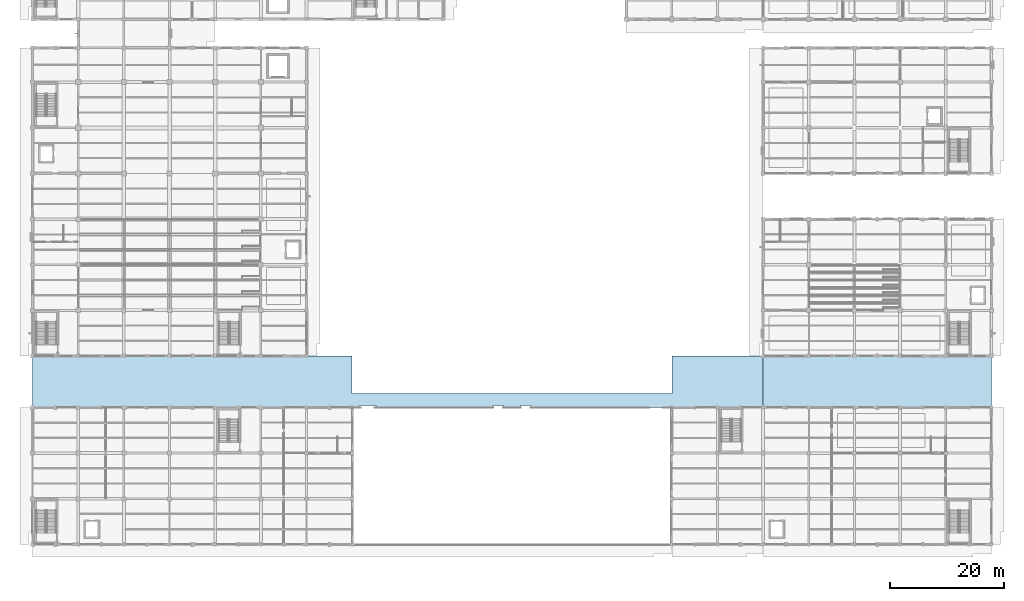
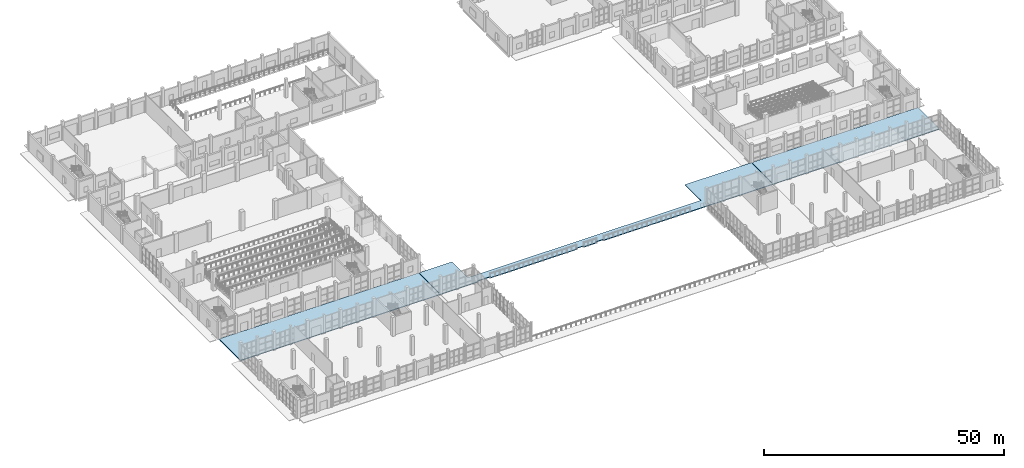
# One storey, part 109 of 156: 1 slab.
"""IFC4 building model written with IfcOpenShell, lengths in metres."""

import ifcopenshell
import ifcopenshell.guid

model = None  # the IFC model being written
_history = None  # IfcOwnerHistory: only IFC2X3 demands one
_inside = {}  # id of a spatial element -> (the spatial element, [elements in it])
_under = {}  # id of a project, library or spatial element -> (it, [spatial elements below it])
_declared = {}  # id of a project -> (the project, [libraries it declares])
_typed = {}  # id of a type object -> (the type object, [elements of that type])
_made_of = {}  # id of a material, layer set ... -> (it, [elements and type objects made of it])


def new_model(schema):
    """Start an empty IFC model of exactly this schema.

    Asked for "IFC4X3", IfcOpenShell would pick the latest addendum, in which some entities
    have other attributes; the version numbers below select the first issue.
    IFC2X3 requires an IfcOwnerHistory on every rooted entity: one is made here for all.
    """
    global model, _history
    if schema == "IFC4X3":
        model = ifcopenshell.file(schema_version=(4, 3, 0, 0))
    else:
        model = ifcopenshell.file(schema=schema)
    _inside.clear()
    _under.clear()
    _declared.clear()
    _typed.clear()
    _made_of.clear()
    _history = None
    if model.schema == "IFC2X3":
        org = make("IfcOrganization", Name="unknown")
        user = make(
            "IfcPersonAndOrganization",
            ThePerson=make("IfcPerson", FamilyName="unknown"),
            TheOrganization=org,
        )
        app = make(
            "IfcApplication",
            ApplicationDeveloper=org,
            Version="unknown",
            ApplicationFullName="unknown",
            ApplicationIdentifier="unknown",
        )
        _history = make(
            "IfcOwnerHistory",
            OwningUser=user,
            OwningApplication=app,
            ChangeAction="ADDED",
            CreationDate=0,
        )
    return model


def make(cls, **values):
    """One entity of the class cls with the attributes given. An attribute that is None is left unset."""
    return model.create_entity(
        cls, **{name: value for name, value in values.items() if value is not None}
    )


def rooted(cls, **values):
    """An entity with a GlobalId (a new one), such as an element, a storey or a relation."""
    return make(cls, GlobalId=ifcopenshell.guid.new(), OwnerHistory=_history, **values)


def si_unit(unit_type, name, prefix=None):
    """IfcSIUnit, for example si_unit("LENGTHUNIT", "METRE", prefix="MILLI")."""
    return make("IfcSIUnit", UnitType=unit_type, Prefix=prefix, Name=name)


def assignment(units):
    """IfcUnitAssignment: the units of a project."""
    return None if units is None else make("IfcUnitAssignment", Units=units)


def point(xyz):
    """IfcCartesianPoint."""
    return None if xyz is None else make("IfcCartesianPoint", Coordinates=xyz)


def direction(xyz):
    """IfcDirection."""
    return None if xyz is None else make("IfcDirection", DirectionRatios=xyz)


def frame(location, z_axis=None, x_axis=None):
    """IfcAxis2Placement3D, a coordinate frame: its origin and axes. An axis left out is left unset."""
    return make(
        "IfcAxis2Placement3D",
        Location=point(location),
        Axis=direction(z_axis),
        RefDirection=direction(x_axis),
    )


def origin():
    """The frame at (0, 0, 0) with its axes left unset."""
    return frame((0.0, 0.0, 0.0))


def place(relative_to, where):
    """IfcLocalPlacement: puts the frame where relative to a parent placement (None: the world)."""
    return make(
        "IfcLocalPlacement", PlacementRelTo=relative_to, RelativePlacement=where
    )


def context(
    kind, dimensions, precision=None, world=None, true_north=None, identifier=None
):
    """IfcGeometricRepresentationContext, for example the 3D "Model" context."""
    return make(
        "IfcGeometricRepresentationContext",
        ContextIdentifier=identifier,
        ContextType=kind,
        CoordinateSpaceDimension=dimensions,
        Precision=precision,
        WorldCoordinateSystem=world,
        TrueNorth=true_north,
    )


def subcontext(parent, identifier, kind, view, scale=None):
    """IfcGeometricRepresentationSubContext, for example "Body" below "Model"."""
    return make(
        "IfcGeometricRepresentationSubContext",
        ContextIdentifier=identifier,
        ContextType=kind,
        ParentContext=parent,
        TargetScale=scale,
        TargetView=view,
    )


def project(units=None, contexts=None):
    """IfcProject with its units and contexts."""
    return rooted(
        "IfcProject",
        Name="project",
        RepresentationContexts=contexts,
        UnitsInContext=assignment(units),
    )


def spatial(cls, under=None, at=None, **own):
    """A site, building, storey or space (cls), placed at a placement, below another one or the project."""
    s = rooted(cls, ObjectPlacement=at, **own)
    if under is not None:
        _under.setdefault(under.id(), (under, []))[1].append(s)
    return s


def polyline(points):
    """IfcPolyline through the points."""
    return make("IfcPolyline", Points=[point(p) for p in points])


def outline(outer, holes=None, kind="AREA"):
    """IfcArbitraryClosedProfileDef: a profile drawn as a closed curve; with holes, ...WithVoids."""
    if holes is None:
        return make("IfcArbitraryClosedProfileDef", ProfileType=kind, OuterCurve=outer)
    return make(
        "IfcArbitraryProfileDefWithVoids",
        ProfileType=kind,
        OuterCurve=outer,
        InnerCurves=holes,
    )


def extrude(swept, where, along, depth):
    """IfcExtrudedAreaSolid: the profile swept, set in the frame where, extruded along a direction by depth."""
    return make(
        "IfcExtrudedAreaSolid",
        SweptArea=swept,
        Position=where,
        ExtrudedDirection=direction(along),
        Depth=depth,
    )


def shape(context_of_items, identifier, shape_type, items):
    """IfcShapeRepresentation: the items that make up one representation, for example the "Body"."""
    return make(
        "IfcShapeRepresentation",
        ContextOfItems=context_of_items,
        RepresentationIdentifier=identifier,
        RepresentationType=shape_type,
        Items=items,
    )


def material(Name=None, Category=None):
    """IfcMaterial."""
    return make("IfcMaterial", Name=Name, Category=Category)


def layer(
    of_material, thickness, ventilated=None, Name=None, Category=None, Priority=None
):
    """IfcMaterialLayer: one layer of a wall or slab, of a material (None: an air gap)."""
    return make(
        "IfcMaterialLayer",
        Material=of_material,
        LayerThickness=thickness,
        IsVentilated=ventilated,
        Name=Name,
        Category=Category,
        Priority=Priority,
    )


def layer_set(layers, Name=None):
    """IfcMaterialLayerSet."""
    return make("IfcMaterialLayerSet", MaterialLayers=layers, LayerSetName=Name)


def made_of(thing, what):
    """Note that an element or type object is made of a material, layer set ...; save() writes the relation."""
    if what is not None:
        _made_of.setdefault(what.id(), (what, []))[1].append(thing)
    return thing


def type_object(cls, material=None, **own):
    """A type object (cls), such as IfcWallType, which elements share."""
    return made_of(rooted(cls, **own), material)


def element(
    cls,
    number,
    at=None,
    inside=None,
    cuts=None,
    type_object=None,
    material=None,
    context=None,
    identifier="Body",
    shape_type=None,
    held_by="IfcProductDefinitionShape",
    body=None,
    shapes=None,
    **own,
):
    """One element of the class cls, such as IfcWall. Its Tag is "e" and its number.

    at: its placement. inside: the storey or other place that contains it. cuts: it is an
    opening in that element (IfcRelVoidsElement). A single representation is given by context,
    identifier, shape_type and body (its items); several are given by shapes. held_by: the class
    of the entity that holds the representations. save() writes the other relations.
    """
    e = rooted(cls, Tag="e%d" % number, ObjectPlacement=at, **own)
    if body is not None:
        shapes = [shape(context, identifier, shape_type, body)]
    if shapes is not None:
        e.Representation = make(held_by, Representations=shapes)
    if inside is not None:
        _inside.setdefault(inside.id(), (inside, []))[1].append(e)
    if cuts is not None:
        rooted(
            "IfcRelVoidsElement", RelatingBuildingElement=cuts, RelatedOpeningElement=e
        )
    if type_object is not None:
        _typed.setdefault(type_object.id(), (type_object, []))[1].append(e)
    return made_of(e, material)


def aggregate(whole, parts):
    """IfcRelAggregates: a whole, such as a stair, and the parts it consists of."""
    return rooted("IfcRelAggregates", RelatingObject=whole, RelatedObjects=parts)


def save(model, path):
    """Write the relations noted so far, then the file.

    IfcRelAggregates (storeys below a building ...), IfcRelContainedInSpatialStructure (elements
    in a storey), IfcRelDefinesByType, IfcRelAssociatesMaterial and IfcRelDeclares: one each for
    every whole, place, type object, material and project.
    """
    for whole, parts in _under.values():
        aggregate(whole, parts)
    for where, things in _inside.values():
        rooted(
            "IfcRelContainedInSpatialStructure",
            RelatedElements=things,
            RelatingStructure=where,
        )
    for kind, things in _typed.values():
        rooted("IfcRelDefinesByType", RelatedObjects=things, RelatingType=kind)
    for what, things in _made_of.values():
        rooted("IfcRelAssociatesMaterial", RelatedObjects=things, RelatingMaterial=what)
    for by, libraries in _declared.values():
        rooted("IfcRelDeclares", RelatingContext=by, RelatedDefinitions=libraries)
    model.write(path)


model = new_model("IFC4")

# Units and contexts
model_context = context("Model", 3, precision=1e-05, world=origin(), true_north=direction((0.0, 1.0)))
body_context = subcontext(model_context, "Body", "Model", "MODEL_VIEW")
ifc_project = project(units=[si_unit("LENGTHUNIT", "METRE"), si_unit("AREAUNIT", "SQUARE_METRE"), si_unit("VOLUMEUNIT", "CUBIC_METRE"), si_unit("PLANEANGLEUNIT", "RADIAN"), si_unit("MASSUNIT", "GRAM", prefix="KILO")], contexts=[model_context])

# Site, building, storey
site_placement = place(None, origin())
site = spatial("IfcSite", under=ifc_project, at=site_placement, CompositionType="ELEMENT")
building_placement = place(site_placement, origin())
building = spatial("IfcBuilding", under=site, at=building_placement, Name="Luwemba Playhouse", CompositionType="ELEMENT")
storey_placement = place(building_placement, origin())
storey = spatial("IfcBuildingStorey", under=building, at=storey_placement, Name="L00", CompositionType="ELEMENT", Elevation=0.0)

# Slab
ifc_material = material(Name="Concrete C32/40", Category="concrete")
ifc_layer = layer(ifc_material, 0.159912109375)
ifc_layer_set = layer_set([ifc_layer], Name="Concrete C32/40")
slab_type = type_object("IfcSlabType", Name="SLB-PAV-160", PredefinedType="USERDEFINED", material=ifc_layer_set)
slab_placement = place(storey_placement, frame((0.0, 0.0, -0.159912109375)))
element("IfcSlab", 1, at=slab_placement, inside=storey, type_object=slab_type, Name="L00 external civic south promenade paving", ObjectType="PAVING", PredefinedType="USERDEFINED", context=body_context, shape_type="SweptSolid", body=[
    extrude(outline(polyline([(60.0, 36.0), (60.0, 29.39990234375), (116.0, 29.39990234375), (116.0, 36.0), (131.969970703125, 36.0), (131.969970703125, 27.449951171875), (132.030029296875, 27.449951171875), (132.030029296875, 36.0), (172.0, 36.0), (172.0, 27.0), (91.320068359375, 27.0), (91.320068359375, 27.320068359375), (89.47998046875, 27.320068359375), (89.47998046875, 27.0), (86.52001953125, 27.0), (86.52001953125, 27.320068359375), (84.679931640625, 27.320068359375), (84.679931640625, 27.0), (64.219970703125, 27.0), (64.219970703125, 27.320068359375), (61.179931640625, 27.320068359375), (61.179931640625, 27.0), (4.0, 27.0), (4.0, 36.0), (51.969970703125, 36.0), (51.969970703125, 27.449951171875), (52.030029296875, 27.449951171875), (52.030029296875, 36.0), (60.0, 36.0)])), origin(), (0.0, 0.0, 1.0), 0.159912109375),
])

save(model, "model.ifc")
